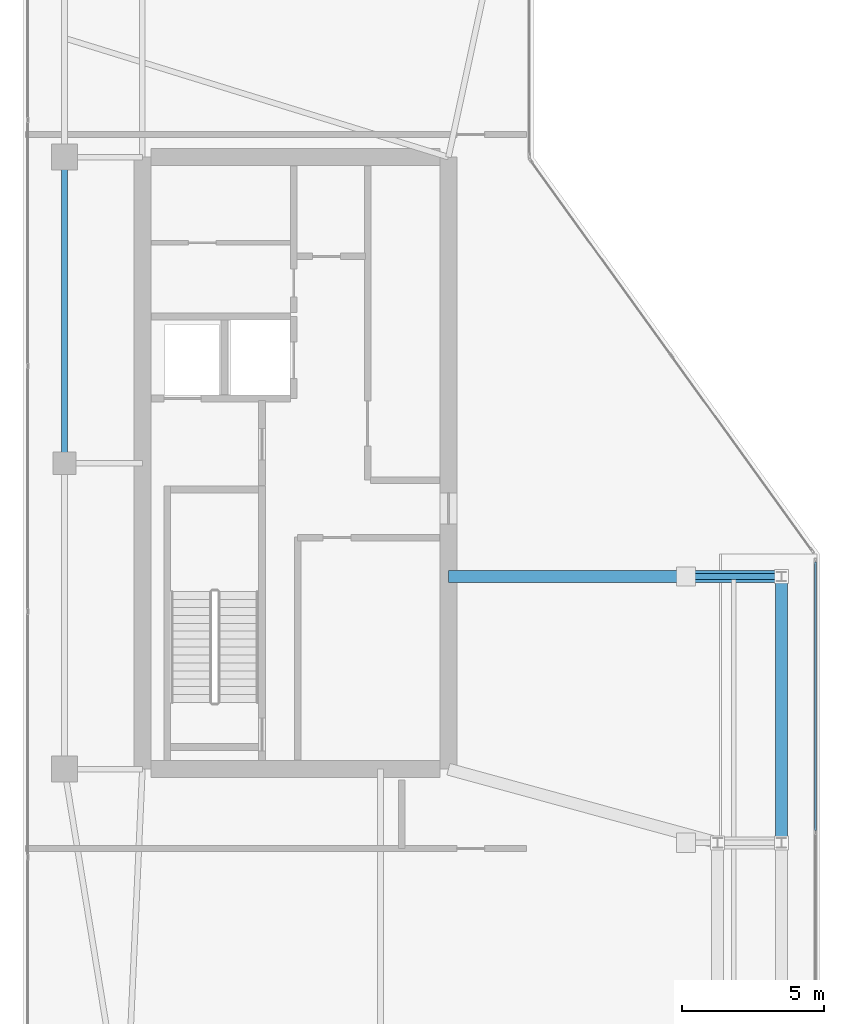
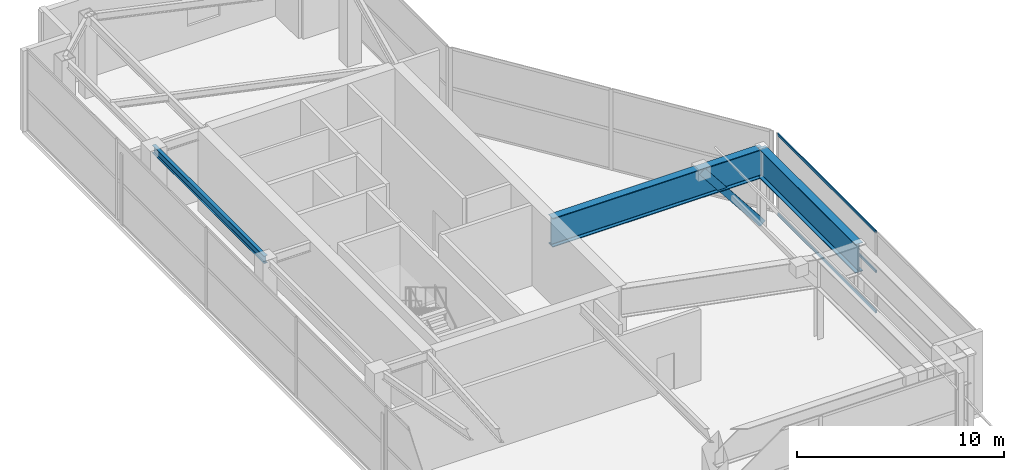
# One storey, part 11 of 21: 4 beams, 3 members, 1 element without a shape of its own.
"""IFC4 building model written with IfcOpenShell, lengths in metres."""

from ifc_helpers import new_model, si_unit, direction, frame, origin, origin_2d, place, context, subcontext, project, spatial, hollow_rectangle, i_section, extrude, material, layer, layer_set, material_profile, profile_set, type_object, element, aggregate, save


model = new_model("IFC4")

# Units and contexts
model_context = context("Model", 3, precision=1e-05, world=origin(), true_north=direction((0.0, 1.0)))
body_context = subcontext(model_context, "Body", "Model", "MODEL_VIEW")
ifc_project = project(units=[si_unit("LENGTHUNIT", "METRE"), si_unit("AREAUNIT", "SQUARE_METRE"), si_unit("VOLUMEUNIT", "CUBIC_METRE"), si_unit("PLANEANGLEUNIT", "RADIAN"), si_unit("MASSUNIT", "GRAM", prefix="KILO")], contexts=[model_context])

# Site, building, storey
site_placement = place(None, origin())
site = spatial("IfcSite", under=ifc_project, at=site_placement, CompositionType="ELEMENT")
building_placement = place(site_placement, origin())
building = spatial("IfcBuilding", under=site, at=building_placement, Name="Calvorn Quay Hotel", CompositionType="ELEMENT")
storey_placement = place(building_placement, frame((0.0, 0.0, 330.5)))
storey = spatial("IfcBuildingStorey", under=building, at=storey_placement, Name="L81", CompositionType="ELEMENT", Elevation=330.5)

# Beams
ifc_material_1 = material(Name="Steel Q355B", Category="steel")
ifc_material_profile_1 = material_profile(ifc_material_1, hollow_rectangle(XDim=0.199951171875, YDim=0.39990234375, WallThickness=0.013916015625, at=origin_2d()), Name="RHS400x200x14")
ifc_profile_set_1 = profile_set([ifc_material_profile_1], Name="Steel Q355B")
beam_type_1 = type_object("IfcBeamType", Name="BM-CRN-RAFTER", PredefinedType="BEAM", material=ifc_profile_set_1)
beam_1_placement = place(storey_placement, frame((26.75, 23.60009765625, 0.25), z_axis=(-0.620072794286, 0.0, 0.784544281597), x_axis=(0.0, -1.0, 0.0)))
element("IfcBeam", 1, at=beam_1_placement, inside=storey, type_object=beam_type_1, Name="Crown Raking Rafter L81-3", PredefinedType="BEAM", context=body_context, shape_type="SweptSolid", body=[
    extrude(hollow_rectangle(XDim=0.199951171875, YDim=0.39990234375, WallThickness=0.013916015625, at=origin_2d()), origin(), (0.0, 0.0, 1.0), 5.429931640625),
])
ifc_material_2 = material(Name="Steel Q355B", Category="steel")
ifc_material_profile_2 = material_profile(ifc_material_2, i_section(OverallWidth=0.199951171875, OverallDepth=0.449951171875, WebThickness=0.009033203125, FlangeThickness=0.013916015625, FilletRadius=0.01611328125, at=origin_2d()), Name="HN450x200x9x14")
ifc_profile_set_2 = profile_set([ifc_material_profile_2], Name="Steel Q355B")
beam_type_2 = type_object("IfcBeamType", Name="BM-SPANDREL-Z3", PredefinedType="SPANDREL", material=ifc_profile_set_2)
beam_2_placement = place(storey_placement, frame((1.449951171875, 27.60009765625, 4.514892578125), z_axis=(0.0, 1.0, 0.0), x_axis=(-1.0, 0.0, 0.0)))
element("IfcBeam", 2, at=beam_2_placement, inside=storey, type_object=beam_type_2, Name="Beam BSP-L81-W3", PredefinedType="SPANDREL", context=body_context, shape_type="SweptSolid", body=[
    extrude(i_section(OverallWidth=0.199951171875, OverallDepth=0.449951171875, WebThickness=0.009033203125, FlangeThickness=0.013916015625, FilletRadius=0.01611328125, at=origin_2d()), origin(), (0.0, 0.0, 1.0), 10.7998046875),
])
ifc_material_3 = material(Name="Steel Q420GJC", Category="steel")
ifc_material_profile_3 = material_profile(ifc_material_3, i_section(OverallWidth=0.419921875, OverallDepth=1.699951171875, WebThickness=0.02392578125, FlangeThickness=0.0419921875, FilletRadius=0.02392578125, at=origin_2d()), Name="HN1700x420x24x42")
ifc_profile_set_3 = profile_set([ifc_material_profile_3], Name="Steel Q420GJC")
beam_type_3 = type_object("IfcBeamType", Name="BM-XFER-SAWTOOTH", PredefinedType="BEAM", material=ifc_profile_set_3)
beam_3_placement = place(storey_placement, frame((15.0, 23.60009765625, 3.889892578125), z_axis=(1.0, 0.0, 0.0), x_axis=(0.0, 1.0, 0.0)))
element("IfcBeam", 3, at=beam_3_placement, inside=storey, type_object=beam_type_3, Name="Beam BTG-L81-C-CR3", PredefinedType="BEAM", context=body_context, shape_type="SweptSolid", body=[
    extrude(i_section(OverallWidth=0.419921875, OverallDepth=1.699951171875, WebThickness=0.02392578125, FlangeThickness=0.0419921875, FilletRadius=0.02392578125, at=origin_2d()), origin(), (0.0, 0.0, 1.0), 11.75),
])
beam_4_placement = place(storey_placement, frame((26.75, 14.199951171875, 3.889892578125), z_axis=(0.0, 1.0, 0.0), x_axis=(-1.0, 0.0, 0.0)))
element("IfcBeam", 4, at=beam_4_placement, inside=storey, type_object=beam_type_3, Name="Beam BTG-L81-CE2", PredefinedType="BEAM", context=body_context, shape_type="SweptSolid", body=[
    extrude(i_section(OverallWidth=0.419921875, OverallDepth=1.699951171875, WebThickness=0.02392578125, FlangeThickness=0.0419921875, FilletRadius=0.02392578125, at=origin_2d()), origin(), (0.0, 0.0, 1.0), 9.400146484375),
])

# Curtain wall, members
ifc_material_4 = material(Name="Pale Anodised Aluminium and Laminated Glass", Category="aluminium")
ifc_layer = layer(ifc_material_4, 0.219970703125)
ifc_layer_set = layer_set([ifc_layer], Name="CW-SYS-CRN")
curtain_wall_type = type_object("IfcCurtainWallType", Name="CW-SYS-CRN", PredefinedType="NOTDEFINED", material=ifc_layer_set)
curtain_wall_placement = place(storey_placement, origin())
curtain_wall = element("IfcCurtainWall", 5, at=curtain_wall_placement, inside=storey, type_object=curtain_wall_type, Name="Crown Curtain Wall L81-C2", PredefinedType="NOTDEFINED")
ifc_material_5 = material(Name="Pale Anodised Aluminium 6063-T6", Category="aluminium")
ifc_material_profile_4 = material_profile(ifc_material_5, hollow_rectangle(XDim=0.06201171875, YDim=0.159912109375, WallThickness=0.00341796875, at=origin_2d()), Name="ALU-T160x62x3.5")
ifc_profile_set_4 = profile_set([ifc_material_profile_4], Name="Pale Anodised Aluminium 6063-T6")
member_type = type_object("IfcMemberType", Name="CW-SYS-CRN-TRN", PredefinedType="USERDEFINED", material=ifc_profile_set_4)
member_1_placement = place(storey_placement, frame((27.949951171875, 14.6298828125, 0.030029296875), z_axis=(0.0, 1.0, 0.0), x_axis=(-1.0, 0.0, 0.0)))
member_1 = element("IfcMember", 6, at=member_1_placement, type_object=member_type, Name="CW-L81-C2 transom 2.1", ObjectType="TRANSOM", PredefinedType="USERDEFINED", context=body_context, shape_type="SweptSolid", body=[
    extrude(hollow_rectangle(XDim=0.06201171875, YDim=0.159912109375, WallThickness=0.00341796875, at=origin_2d()), origin(), (0.0, 0.0, 1.0), 9.490234375),
])
member_2_placement = place(storey_placement, frame((27.949951171875, 14.6298828125, 2.39990234375), z_axis=(0.0, 1.0, 0.0), x_axis=(-1.0, 0.0, 0.0)))
member_2 = element("IfcMember", 7, at=member_2_placement, type_object=member_type, Name="CW-L81-C2 transom 2.2", ObjectType="TRANSOM", PredefinedType="USERDEFINED", context=body_context, shape_type="SweptSolid", body=[
    extrude(hollow_rectangle(XDim=0.06201171875, YDim=0.159912109375, WallThickness=0.00341796875, at=origin_2d()), origin(), (0.0, 0.0, 1.0), 9.490234375),
])
member_3_placement = place(storey_placement, frame((27.949951171875, 14.6298828125, 4.72998046875), z_axis=(0.0, 1.0, 0.0), x_axis=(-1.0, 0.0, 0.0)))
member_3 = element("IfcMember", 8, at=member_3_placement, type_object=member_type, Name="CW-L81-C2 transom 2.3", ObjectType="TRANSOM", PredefinedType="USERDEFINED", context=body_context, shape_type="SweptSolid", body=[
    extrude(hollow_rectangle(XDim=0.06201171875, YDim=0.159912109375, WallThickness=0.00341796875, at=origin_2d()), origin(), (0.0, 0.0, 1.0), 9.490234375),
])
aggregate(curtain_wall, [member_1, member_2, member_3])

save(model, "model.ifc")
